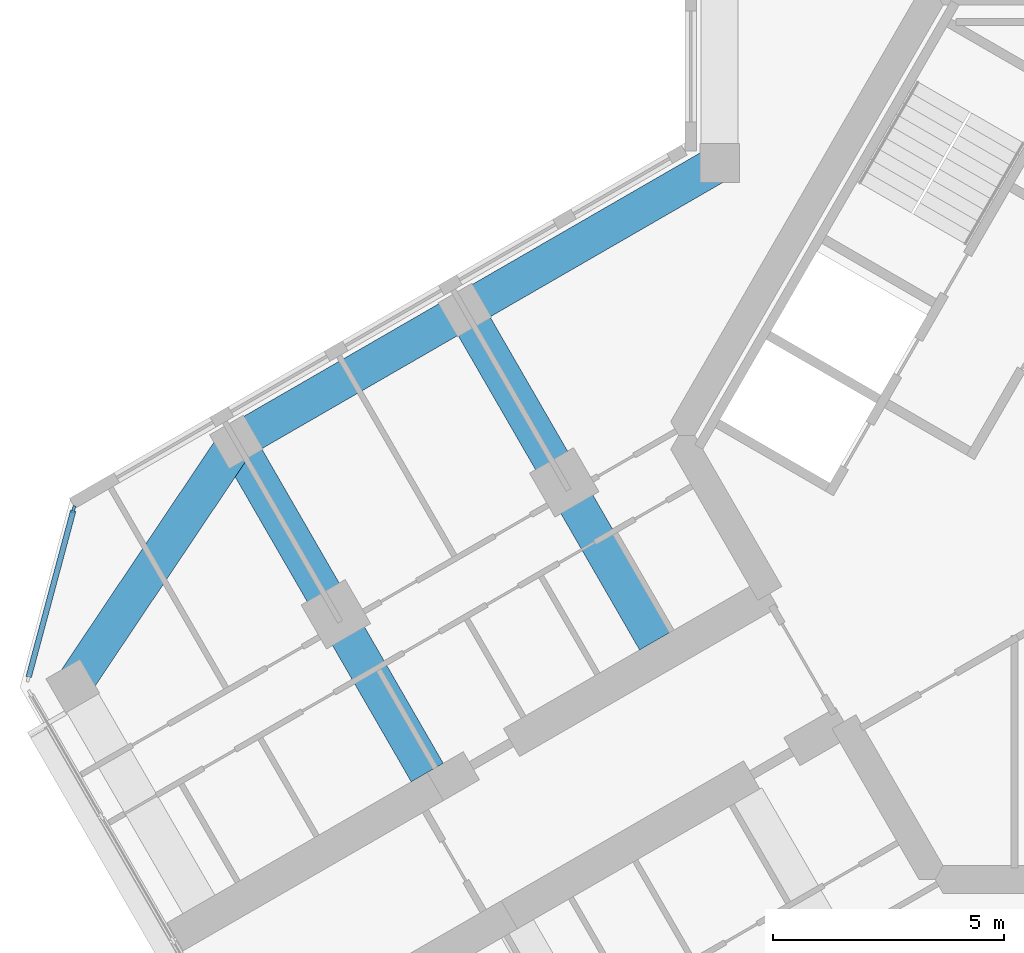
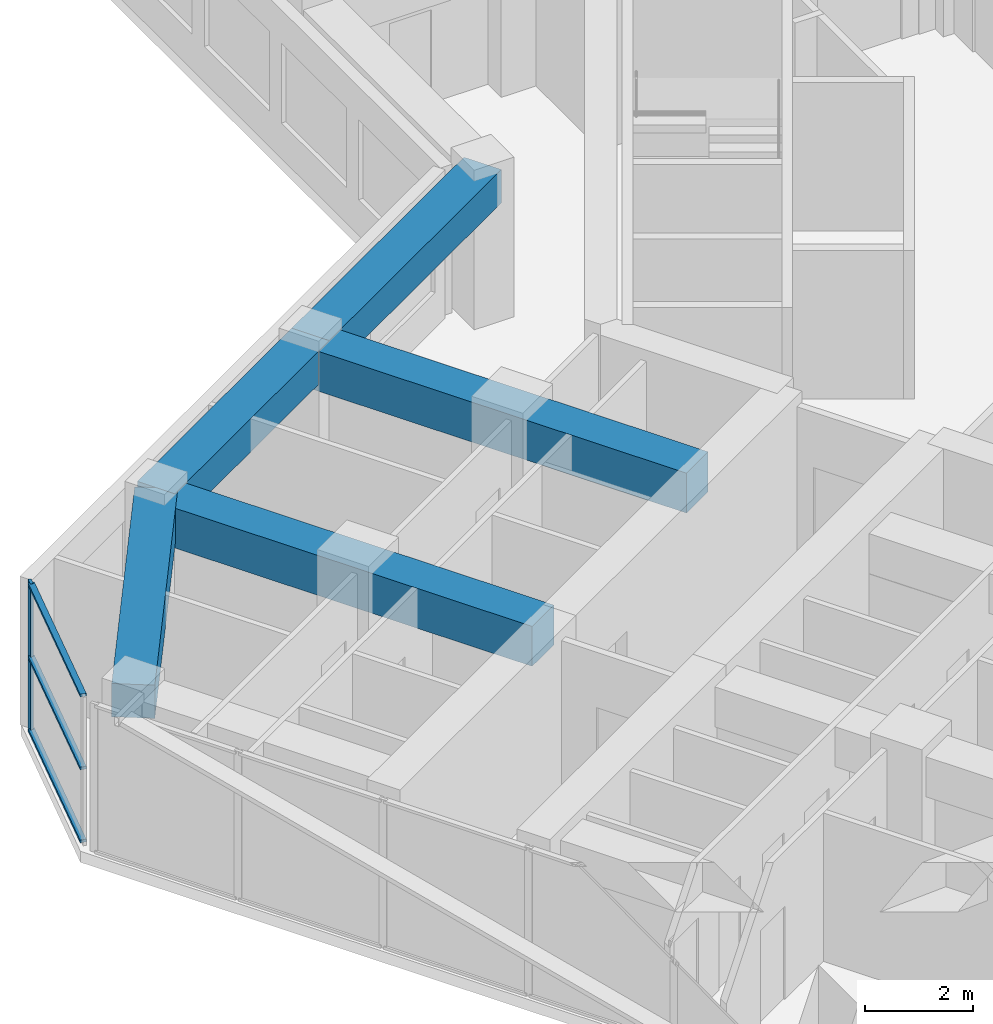
# One storey, part 3 of 16: 5 beams, 4 members, 1 element without a shape of its own.
"""IFC4 building model written with IfcOpenShell, lengths in metres."""

from ifc_helpers import new_model, si_unit, direction, frame, origin, origin_2d, place, context, subcontext, project, spatial, rectangle, extrude, material, material_profile, profile_set, type_object, element, aggregate, save


model = new_model("IFC4")

# Units and contexts
model_context = context("Model", 3, precision=1e-05, world=origin(), true_north=direction((0.0, 1.0)))
body_context = subcontext(model_context, "Body", "Model", "MODEL_VIEW")
ifc_project = project(units=[si_unit("LENGTHUNIT", "METRE"), si_unit("AREAUNIT", "SQUARE_METRE"), si_unit("VOLUMEUNIT", "CUBIC_METRE"), si_unit("PLANEANGLEUNIT", "RADIAN"), si_unit("MASSUNIT", "GRAM", prefix="KILO")], contexts=[model_context])

# Site, building, storey
site_placement = place(None, origin())
site = spatial("IfcSite", under=ifc_project, at=site_placement, CompositionType="ELEMENT")
building_placement = place(site_placement, origin())
building = spatial("IfcBuilding", under=site, at=building_placement, Name="Kosmar Iwan School Tower", CompositionType="ELEMENT")
storey_placement = place(building_placement, frame((0.0, 0.0, 249.60009765625)))
storey = spatial("IfcBuildingStorey", under=building, at=storey_placement, Name="L63", CompositionType="ELEMENT", Elevation=249.60009765625)

# Curtain wall, member
ifc_material_1 = material(Name="Dark glass in black aluminium frame", Category="aluminium")
curtain_wall_type = type_object("IfcCurtainWallType", Name="Chamfer curtain wall dark glass", PredefinedType="USERDEFINED", material=ifc_material_1)
curtain_wall_placement = place(storey_placement, origin())
curtain_wall = element("IfcCurtainWall", 1, at=curtain_wall_placement, inside=storey, type_object=curtain_wall_type, Name="Curtain wall L63-F10", ObjectType="FACETED CURTAIN WALL", PredefinedType="USERDEFINED")
ifc_material_2 = material(Name="Black anodised aluminium", Category="aluminium")
ifc_material_profile_1 = material_profile(ifc_material_2, rectangle(XDim=0.06005859375, YDim=0.159912109375, at=origin_2d()), Name="MULLION 60x160")
ifc_profile_set_1 = profile_set([ifc_material_profile_1], Name="Black anodised aluminium")
member_type_1 = type_object("IfcMemberType", Name="Mullion 60x160", PredefinedType="MULLION", material=ifc_profile_set_1)
member_1_placement = place(storey_placement, frame((-24.163818359375, -1.59814453125, 0.0), z_axis=(0.0, 0.0, 1.0), x_axis=(0.965925875495, -0.258818861462, 0.0)))
member_1 = element("IfcMember", 2, at=member_1_placement, type_object=member_type_1, Name="CW2 mullion 1", PredefinedType="MULLION", context=body_context, shape_type="SweptSolid", body=[
    extrude(rectangle(XDim=0.06005859375, YDim=0.159912109375, at=origin_2d()), origin(), (0.0, 0.0, 1.0), 3.349853515625),
])

# Beams
ifc_material_3 = material(Name="Concrete C50/60", Category="concrete")
ifc_material_profile_2 = material_profile(ifc_material_3, rectangle(XDim=0.800048828125, YDim=0.75, at=origin_2d()), Name="RC 800x750")
ifc_profile_set_2 = profile_set([ifc_material_profile_2], Name="Concrete C50/60")
beam_type_1 = type_object("IfcBeamType", Name="RC edge beam 800x750", PredefinedType="BEAM", material=ifc_profile_set_2)
beam_1_placement = place(storey_placement, frame((-10.199951171875, 5.888916015625, 2.974853515625), z_axis=(-0.866030912664, -0.49999045822, 0.0), x_axis=(0.49999045822, -0.866030912664, 0.0)))
element("IfcBeam", 3, at=beam_1_placement, inside=storey, type_object=beam_type_1, Name="Edge beam BR1", PredefinedType="BEAM", context=body_context, shape_type="SweptSolid", body=[
    extrude(rectangle(XDim=0.800048828125, YDim=0.75, at=origin_2d()), origin(), (0.0, 0.0, 1.0), 6.36083984375),
])
beam_2_placement = place(storey_placement, frame((-15.708740234375, 2.70849609375, 2.974853515625), z_axis=(-0.866025820012, -0.499999279071, 0.0), x_axis=(0.499999279071, -0.866025820012, 0.0)))
element("IfcBeam", 4, at=beam_2_placement, inside=storey, type_object=beam_type_1, Name="Edge beam BR2", PredefinedType="BEAM", context=body_context, shape_type="SweptSolid", body=[
    extrude(rectangle(XDim=0.800048828125, YDim=0.75, at=origin_2d()), origin(), (0.0, 0.0, 1.0), 5.7001953125),
])
ifc_material_4 = material(Name="Concrete C50/60", Category="concrete")
ifc_material_profile_3 = material_profile(ifc_material_4, rectangle(XDim=0.800048828125, YDim=0.75, at=origin_2d()), Name="RC 800x750")
ifc_profile_set_3 = profile_set([ifc_material_profile_3], Name="Concrete C50/60")
beam_type_2 = type_object("IfcBeamType", Name="RC tip beam 800x750", PredefinedType="BEAM", material=ifc_profile_set_3)
beam_3_placement = place(storey_placement, frame((-20.645263671875, -0.1416015625, 2.974853515625), z_axis=(-0.556827604145, -0.83062808721, 0.0), x_axis=(0.83062808721, -0.556827604145, 0.0)))
element("IfcBeam", 5, at=beam_3_placement, inside=storey, type_object=beam_type_2, Name="Tip beam BR", PredefinedType="BEAM", context=body_context, shape_type="SweptSolid", body=[
    extrude(rectangle(XDim=0.800048828125, YDim=0.75, at=origin_2d()), origin(), (0.0, 0.0, 1.0), 6.3505859375),
])
ifc_material_5 = material(Name="Concrete C50/60", Category="concrete")
ifc_material_profile_4 = material_profile(ifc_material_5, rectangle(XDim=0.800048828125, YDim=0.89990234375, at=origin_2d()), Name="RC 800x900")
ifc_profile_set_4 = profile_set([ifc_material_profile_4], Name="Concrete C50/60")
beam_type_3 = type_object("IfcBeamType", Name="RC transverse beam 800x900", PredefinedType="BEAM", material=ifc_profile_set_4)
beam_4_placement = place(storey_placement, frame((-15.708740234375, 2.70849609375, 2.89990234375), z_axis=(0.499996545922, -0.866027397988, 0.0), x_axis=(0.866027397988, 0.499996545922, 0.0)))
element("IfcBeam", 6, at=beam_4_placement, inside=storey, type_object=beam_type_3, Name="Transverse beam BR1", PredefinedType="BEAM", context=body_context, shape_type="SweptSolid", body=[
    extrude(rectangle(XDim=0.800048828125, YDim=0.89990234375, at=origin_2d()), origin(), (0.0, 0.0, 1.0), 8.25),
])
beam_5_placement = place(storey_placement, frame((-20.645263671875, -0.1416015625, 2.89990234375), z_axis=(0.500009360108, -0.866019999656, 0.0), x_axis=(0.866019999656, 0.500009360108, 0.0)))
element("IfcBeam", 7, at=beam_5_placement, inside=storey, type_object=beam_type_3, Name="Transverse beam BR2", PredefinedType="BEAM", context=body_context, shape_type="SweptSolid", body=[
    extrude(rectangle(XDim=0.800048828125, YDim=0.89990234375, at=origin_2d()), origin(), (0.0, 0.0, 1.0), 8.249755859375),
])

# Member
ifc_material_6 = material(Name="Black anodised aluminium", Category="aluminium")
ifc_material_profile_5 = material_profile(ifc_material_6, rectangle(XDim=0.1201171875, YDim=0.06005859375, at=origin_2d()), Name="TRANSOM 60x120")
ifc_profile_set_5 = profile_set([ifc_material_profile_5], Name="Black anodised aluminium")
member_type_2 = type_object("IfcMemberType", Name="Transom 60x120", PredefinedType="USERDEFINED", material=ifc_profile_set_5)
member_2_placement = place(storey_placement, frame((-24.17138671875, -1.627197265625, 0.02978515625), z_axis=(-0.258843273983, -0.965919333854, 0.0), x_axis=(0.965919333854, -0.258843273983, 0.0)))
member_2 = element("IfcMember", 8, at=member_2_placement, type_object=member_type_2, Name="CW2 transom 1.1", ObjectType="TRANSOM", PredefinedType="USERDEFINED", context=body_context, shape_type="SweptSolid", body=[
    extrude(rectangle(XDim=0.1201171875, YDim=0.06005859375, at=origin_2d()), origin(), (0.0, 0.0, 1.0), 3.718994140625),
])

member_3_placement = place(storey_placement, frame((-24.17138671875, -1.627197265625, 1.6748046875), z_axis=(-0.258843273983, -0.965919333854, 0.0), x_axis=(0.965919333854, -0.258843273983, 0.0)))
member_3 = element("IfcMember", 9, at=member_3_placement, type_object=member_type_2, Name="CW2 transom 1.2", ObjectType="TRANSOM", PredefinedType="USERDEFINED", context=body_context, shape_type="SweptSolid", body=[
    extrude(rectangle(XDim=0.1201171875, YDim=0.06005859375, at=origin_2d()), origin(), (0.0, 0.0, 1.0), 3.718994140625),
])

member_4_placement = place(storey_placement, frame((-24.17138671875, -1.627197265625, 3.31982421875), z_axis=(-0.258843273983, -0.965919333854, 0.0), x_axis=(0.965919333854, -0.258843273983, 0.0)))
member_4 = element("IfcMember", 10, at=member_4_placement, type_object=member_type_2, Name="CW2 transom 1.3", ObjectType="TRANSOM", PredefinedType="USERDEFINED", context=body_context, shape_type="SweptSolid", body=[
    extrude(rectangle(XDim=0.1201171875, YDim=0.06005859375, at=origin_2d()), origin(), (0.0, 0.0, 1.0), 3.718994140625),
])

aggregate(curtain_wall, [member_1, member_2, member_3, member_4])

save(model, "model.ifc")
